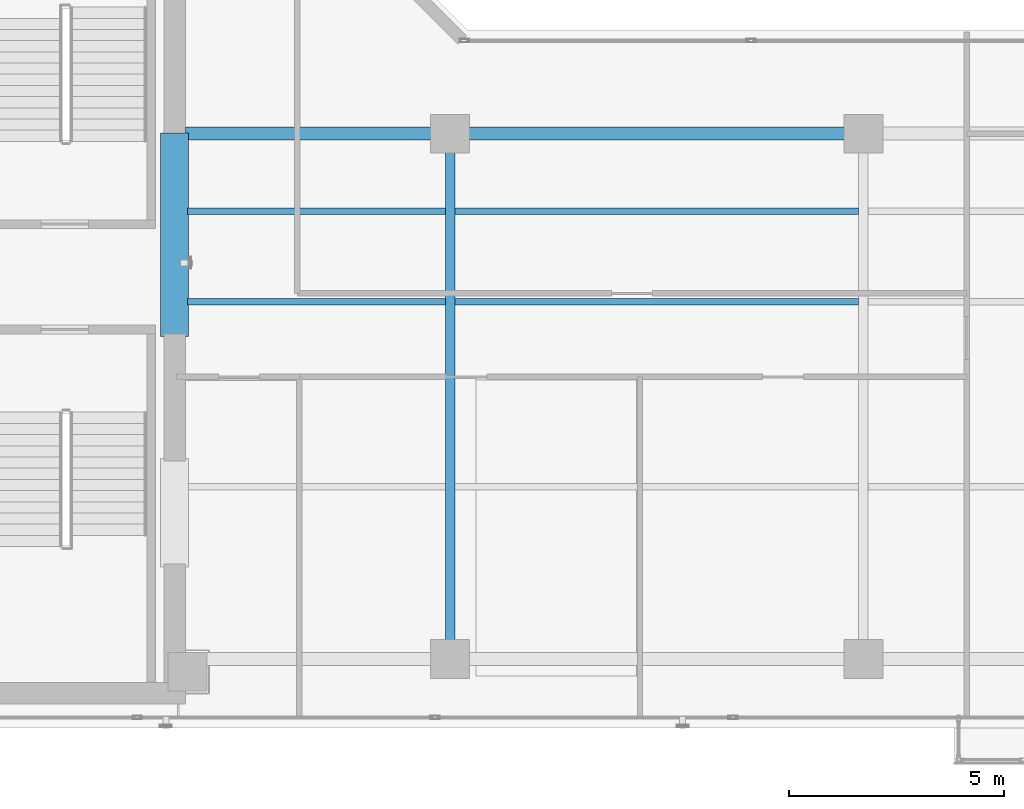
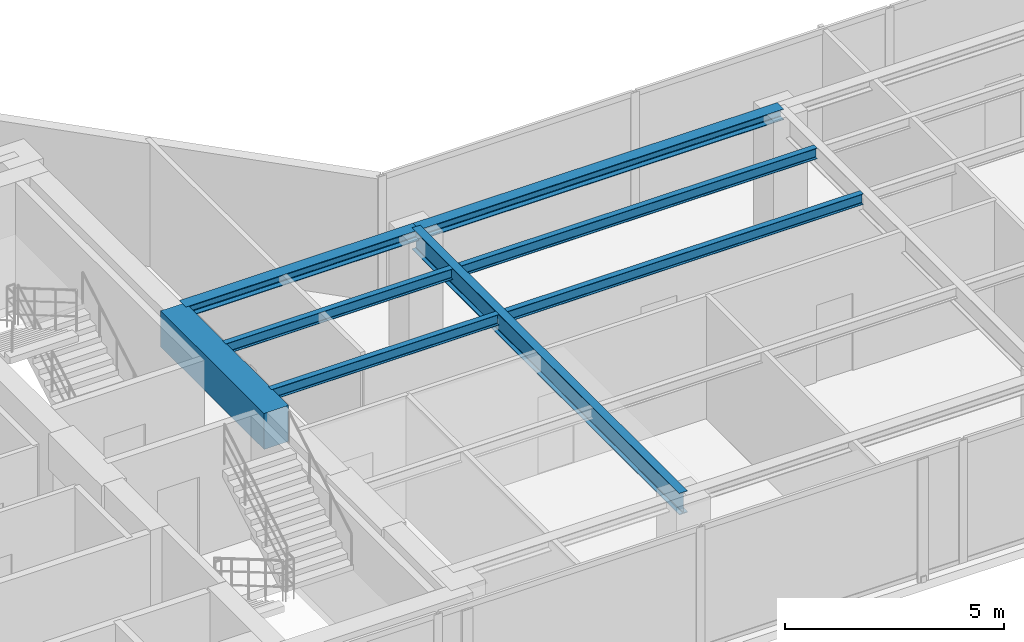
# One storey, part 5 of 23: 8 beams.
"""IFC4 building model written with IfcOpenShell, lengths in metres."""

from ifc_helpers import new_model, si_unit, direction, frame, origin, origin_2d, place, context, subcontext, project, spatial, rectangle, i_section, extrude, material, material_profile, profile_set, type_object, element, save


model = new_model("IFC4")

# Units and contexts
model_context = context("Model", 3, precision=1e-05, world=origin(), true_north=direction((0.0, 1.0)))
body_context = subcontext(model_context, "Body", "Model", "MODEL_VIEW")
ifc_project = project(units=[si_unit("LENGTHUNIT", "METRE"), si_unit("AREAUNIT", "SQUARE_METRE"), si_unit("VOLUMEUNIT", "CUBIC_METRE"), si_unit("PLANEANGLEUNIT", "RADIAN"), si_unit("MASSUNIT", "GRAM", prefix="KILO")], contexts=[model_context])

# Site, building, storey
site_placement = place(None, origin())
site = spatial("IfcSite", under=ifc_project, at=site_placement, CompositionType="ELEMENT")
building_placement = place(site_placement, origin())
building = spatial("IfcBuilding", under=site, at=building_placement, Name="Kolvaren Waterfront Exchange", CompositionType="ELEMENT")
storey_placement = place(building_placement, frame((0.0, 0.0, 335.0)))
storey = spatial("IfcBuildingStorey", under=building, at=storey_placement, Name="L86", CompositionType="ELEMENT", Elevation=335.0)

# Beams
ifc_material_1 = material(Name="Steel S355", Category="steel")
ifc_material_profile_1 = material_profile(ifc_material_1, i_section(OverallWidth=0.300048828125, OverallDepth=0.300048828125, WebThickness=0.010986328125, FlangeThickness=0.01904296875, FilletRadius=0.027099609375, at=origin_2d()), Name="HEB300")
ifc_profile_set_1 = profile_set([ifc_material_profile_1], Name="Steel S355")
beam_type_1 = type_object("IfcBeamType", Name="STR-BM-HEB300", PredefinedType="SPANDREL", material=ifc_profile_set_1)
beam_1_placement = place(storey_placement, frame((21.050048828125, 17.39990234375, 3.27001953125), z_axis=(1.0, 0.0, 0.0), x_axis=(0.0, 1.0, 0.0)))
element("IfcBeam", 1, at=beam_1_placement, inside=storey, type_object=beam_type_1, Name="L86 east-arm spandrel N1", PredefinedType="SPANDREL", context=body_context, shape_type="SweptSolid", body=[
    extrude(i_section(OverallWidth=0.300048828125, OverallDepth=0.300048828125, WebThickness=0.010986328125, FlangeThickness=0.01904296875, FilletRadius=0.027099609375, at=origin_2d()), origin(), (0.0, 0.0, 1.0), 6.14990234375),
])
beam_2_placement = place(storey_placement, frame((27.199951171875, 17.39990234375, 3.27001953125), z_axis=(1.0, 0.0, 0.0), x_axis=(0.0, 1.0, 0.0)))
element("IfcBeam", 2, at=beam_2_placement, inside=storey, type_object=beam_type_1, Name="L86 east-arm spandrel N2", PredefinedType="SPANDREL", context=body_context, shape_type="SweptSolid", body=[
    extrude(i_section(OverallWidth=0.300048828125, OverallDepth=0.300048828125, WebThickness=0.010986328125, FlangeThickness=0.01904296875, FilletRadius=0.027099609375, at=origin_2d()), origin(), (0.0, 0.0, 1.0), 9.60009765625),
])
ifc_material_profile_2 = material_profile(ifc_material_1, i_section(OverallWidth=0.14990234375, OverallDepth=0.300048828125, WebThickness=0.007080078125, FlangeThickness=0.0107421875, FilletRadius=0.014892578125, at=origin_2d()), Name="IPE300")
ifc_profile_set_2 = profile_set([ifc_material_profile_2], Name="Steel S355")
beam_type_2 = type_object("IfcBeamType", Name="STR-BM-IPE300", PredefinedType="JOIST", material=ifc_profile_set_2)
for number, where, z_axis, x_axis, name in (
    (3, (21.10009765625, 13.5, 3.27001953125), (1.0, 0.0, 0.0), (0.0, 1.0, 0.0), "L86 east-arm composite joist 1A"),
    (4, (21.10009765625, 15.60009765625, 3.27001953125), (1.0, 0.0, 0.0), (0.0, 1.0, 0.0), "L86 east-arm composite joist 1C"),
):
    element("IfcBeam", number, at=place(storey_placement, frame(where, z_axis=z_axis, x_axis=x_axis)), inside=storey, type_object=beam_type_2, Name=name, PredefinedType="JOIST", context=body_context, shape_type="SweptSolid", body=[
        extrude(i_section(OverallWidth=0.14990234375, OverallDepth=0.300048828125, WebThickness=0.007080078125, FlangeThickness=0.0107421875, FilletRadius=0.014892578125, at=origin_2d()), origin(), (0.0, 0.0, 1.0), 5.98779296875),
    ])
for number, where, z_axis, x_axis, name in (
    (5, (27.31201171875, 13.5, 3.27001953125), (1.0, 0.0, 0.0), (0.0, 1.0, 0.0), "L86 east-arm composite joist 2A"),
    (6, (27.31201171875, 15.60009765625, 3.27001953125), (1.0, 0.0, 0.0), (0.0, 1.0, 0.0), "L86 east-arm composite joist 2C"),
):
    element("IfcBeam", number, at=place(storey_placement, frame(where, z_axis=z_axis, x_axis=x_axis)), inside=storey, type_object=beam_type_2, Name=name, PredefinedType="JOIST", context=body_context, shape_type="SweptSolid", body=[
        extrude(i_section(OverallWidth=0.14990234375, OverallDepth=0.300048828125, WebThickness=0.007080078125, FlangeThickness=0.0107421875, FilletRadius=0.014892578125, at=origin_2d()), origin(), (0.0, 0.0, 1.0), 9.3759765625),
    ])
ifc_material_profile_3 = material_profile(ifc_material_1, i_section(OverallWidth=0.219970703125, OverallDepth=0.60009765625, WebThickness=0.011962890625, FlangeThickness=0.01904296875, FilletRadius=0.02392578125, at=origin_2d()), Name="IPE600")
ifc_profile_set_3 = profile_set([ifc_material_profile_3], Name="Steel S355")
beam_type_3 = type_object("IfcBeamType", Name="STR-BM-IPE600", PredefinedType="BEAM", material=ifc_profile_set_3)
beam_3_placement = place(storey_placement, frame((27.199951171875, 5.199951171875, 3.1201171875), z_axis=(0.0, 1.0, 0.0), x_axis=(-1.0, 0.0, 0.0)))
element("IfcBeam", 7, at=beam_3_placement, inside=storey, type_object=beam_type_3, Name="L86 east-arm transverse girder X27", PredefinedType="BEAM", context=body_context, shape_type="SweptSolid", body=[
    extrude(i_section(OverallWidth=0.219970703125, OverallDepth=0.60009765625, WebThickness=0.011962890625, FlangeThickness=0.01904296875, FilletRadius=0.02392578125, at=origin_2d()), origin(), (0.0, 0.0, 1.0), 12.199951171875),
])
ifc_material_2 = material(Name="Concrete C60/75", Category="concrete")
ifc_material_profile_4 = material_profile(ifc_material_2, rectangle(XDim=0.64990234375, YDim=1.0, at=origin_2d()), Name="RC-CB-1000x650")
ifc_profile_set_4 = profile_set([ifc_material_profile_4], Name="Concrete C60/75")
beam_type_4 = type_object("IfcBeamType", Name="STR-CB-1000", PredefinedType="SPANDREL", material=ifc_profile_set_4)
beam_4_placement = place(storey_placement, frame((20.800048828125, 12.68994140625, 2.919921875), z_axis=(0.0, 1.0, 0.0), x_axis=(-1.0, 0.0, 0.0)))
element("IfcBeam", 8, at=beam_4_placement, inside=storey, type_object=beam_type_4, Name="L86 core coupling beam 2", PredefinedType="SPANDREL", context=body_context, shape_type="SweptSolid", body=[
    extrude(rectangle(XDim=0.64990234375, YDim=1.0, at=origin_2d()), origin(), (0.0, 0.0, 1.0), 4.719970703125),
])

save(model, "model.ifc")
